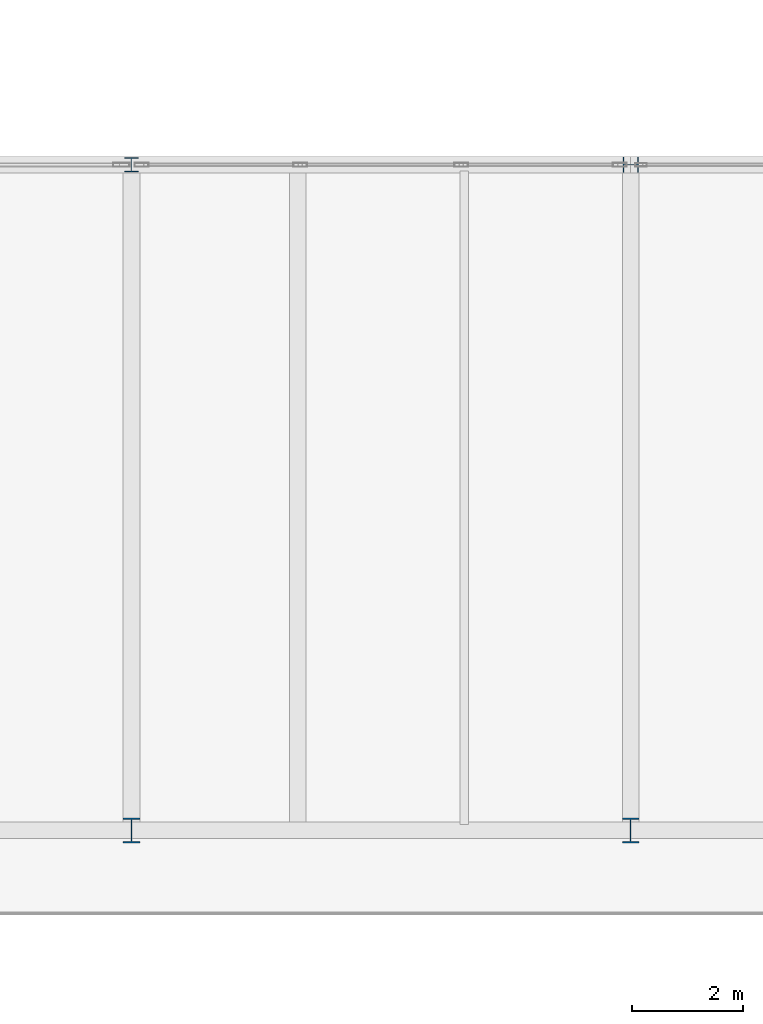
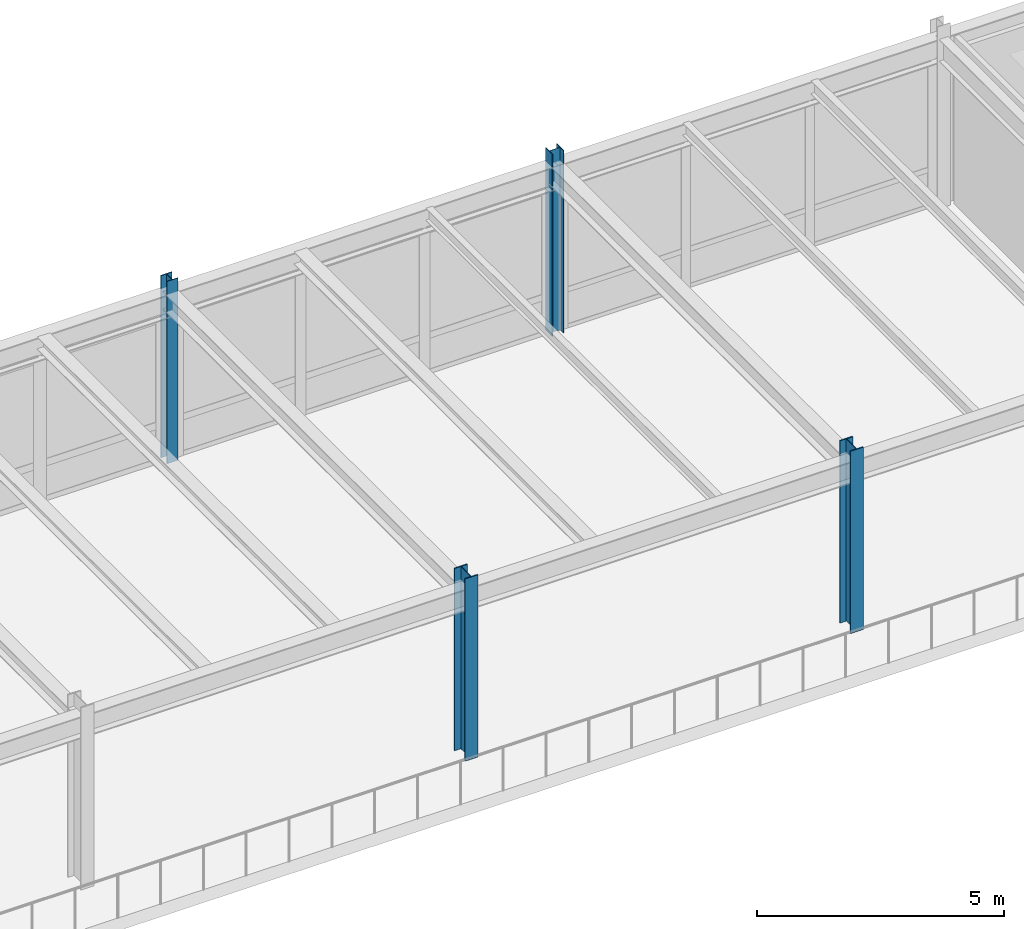
# One storey, part 11 of 127: 4 columns.
"""IFC4 building model written with IfcOpenShell, lengths in metres."""

from ifc_helpers import new_model, si_unit, direction, frame, origin, origin_2d, place, context, subcontext, project, spatial, i_section, extrude, material, material_profile, profile_set, type_object, element, save


model = new_model("IFC4")

# Units and contexts
model_context = context("Model", 3, precision=1e-05, world=origin(), true_north=direction((0.0, 1.0)))
body_context = subcontext(model_context, "Body", "Model", "MODEL_VIEW")
ifc_project = project(units=[si_unit("LENGTHUNIT", "METRE"), si_unit("AREAUNIT", "SQUARE_METRE"), si_unit("VOLUMEUNIT", "CUBIC_METRE"), si_unit("PLANEANGLEUNIT", "RADIAN"), si_unit("MASSUNIT", "GRAM", prefix="KILO")], contexts=[model_context])

# Site, building, storey
site_placement = place(None, origin())
site = spatial("IfcSite", under=ifc_project, at=site_placement, CompositionType="ELEMENT")
building_placement = place(site_placement, origin())
building = spatial("IfcBuilding", under=site, at=building_placement, Name="Montelvaro Courts of Justice", CompositionType="ELEMENT")
storey_placement = place(building_placement, frame((0.0, 0.0, 5.39990234375)))
storey = spatial("IfcBuildingStorey", under=building, at=storey_placement, Name="L01", CompositionType="ELEMENT", Elevation=5.39990234375)

# Columns
ifc_material = material(Name="Steel S355", Category="steel")
ifc_material_profile_1 = material_profile(ifc_material, i_section(OverallWidth=0.260009765625, OverallDepth=0.260009765625, WebThickness=0.010009765625, FlangeThickness=0.017578125, at=origin_2d()), Name="HEB 260")
ifc_profile_set_1 = profile_set([ifc_material_profile_1], Name="Steel S355")
column_type_1 = type_object("IfcColumnType", Name="Col_HEB260", PredefinedType="COLUMN", material=ifc_profile_set_1)
column_1_placement = place(storey_placement, frame((54.0, 108.0, 0.0), z_axis=(0.0, 0.0, 1.0), x_axis=(1.0, 0.0, 0.0)))
element("IfcColumn", 1, at=column_1_placement, inside=storey, type_object=column_type_1, Name="Column C-01 L01 7/I", PredefinedType="COLUMN", context=body_context, shape_type="SweptSolid", body=[
    extrude(i_section(OverallWidth=0.260009765625, OverallDepth=0.260009765625, WebThickness=0.010009765625, FlangeThickness=0.017578125, at=origin_2d()), origin(), (0.0, 0.0, 1.0), 4.5),
])
ifc_material_profile_2 = material_profile(ifc_material, i_section(OverallWidth=0.280029296875, OverallDepth=0.280029296875, WebThickness=0.010498046875, FlangeThickness=0.01806640625, at=origin_2d()), Name="HEB 280")
ifc_profile_set_2 = profile_set([ifc_material_profile_2], Name="Steel S355")
column_type_2 = type_object("IfcColumnType", Name="Col_HEB280", PredefinedType="COLUMN", material=ifc_profile_set_2)
column_2_placement = place(storey_placement, frame((63.0, 108.0, 0.0), z_axis=(0.0, 0.0, 1.0), x_axis=(0.0, 1.0, 0.0)))
element("IfcColumn", 2, at=column_2_placement, inside=storey, type_object=column_type_2, Name="Column C-02 L01 8/I", PredefinedType="COLUMN", context=body_context, shape_type="SweptSolid", body=[
    extrude(i_section(OverallWidth=0.280029296875, OverallDepth=0.280029296875, WebThickness=0.010498046875, FlangeThickness=0.01806640625, at=origin_2d()), origin(), (0.0, 0.0, 1.0), 4.5),
])
ifc_material_profile_3 = material_profile(ifc_material, i_section(OverallWidth=0.300048828125, OverallDepth=0.449951171875, WebThickness=0.013916015625, FlangeThickness=0.02587890625, at=origin_2d()), Name="HEB 450")
ifc_profile_set_3 = profile_set([ifc_material_profile_3], Name="Steel S355")
column_type_3 = type_object("IfcColumnType", Name="Col_HEB450", PredefinedType="COLUMN", material=ifc_profile_set_3)
for number, where, z_axis, x_axis, name in (
    (3, (54.0, 96.0, 0.0), (0.0, 0.0, 1.0), (1.0, 0.0, 0.0), "Column C-08 L01 7/H"),
    (4, (63.0, 96.0, 0.0), (0.0, 0.0, 1.0), (1.0, 0.0, 0.0), "Column C-08 L01 8/H"),
):
    element("IfcColumn", number, at=place(storey_placement, frame(where, z_axis=z_axis, x_axis=x_axis)), inside=storey, type_object=column_type_3, Name=name, PredefinedType="COLUMN", context=body_context, shape_type="SweptSolid", body=[
        extrude(i_section(OverallWidth=0.300048828125, OverallDepth=0.449951171875, WebThickness=0.013916015625, FlangeThickness=0.02587890625, at=origin_2d()), origin(), (0.0, 0.0, 1.0), 4.5),
    ])

save(model, "model.ifc")
